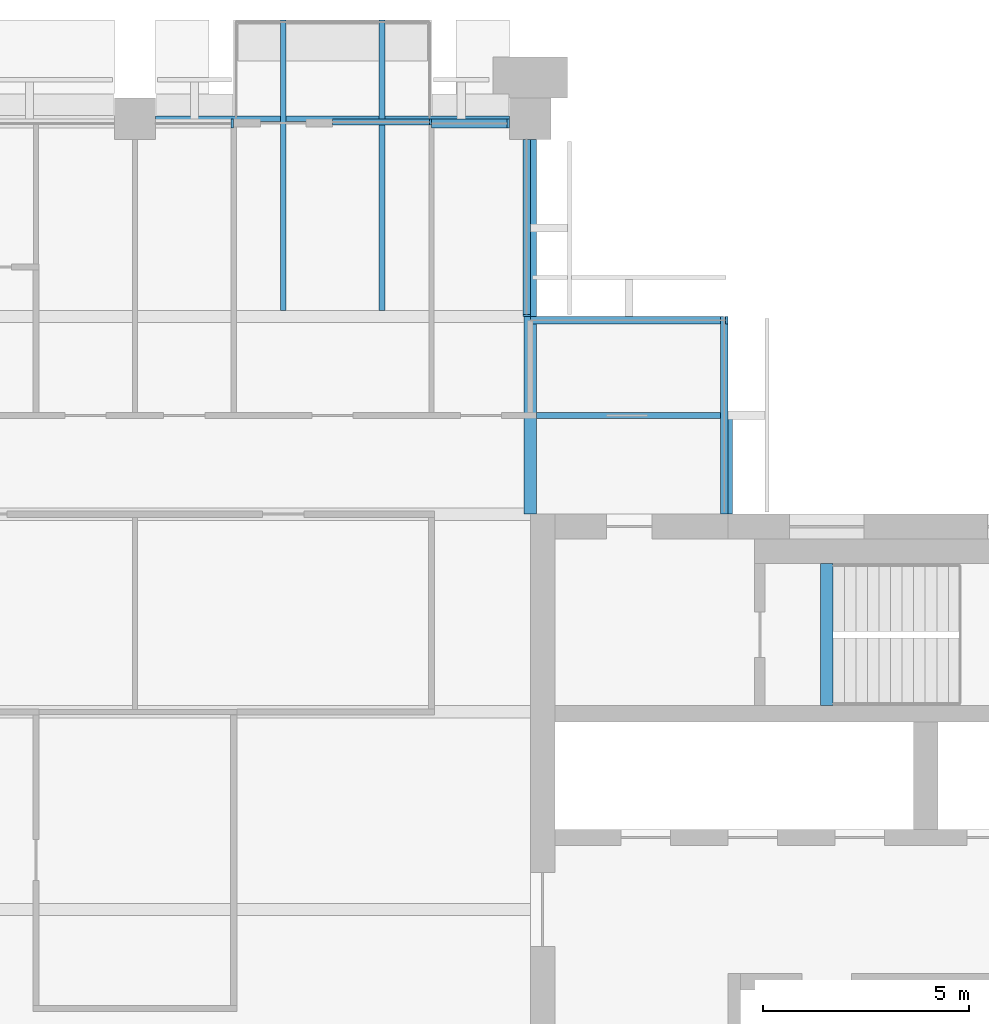
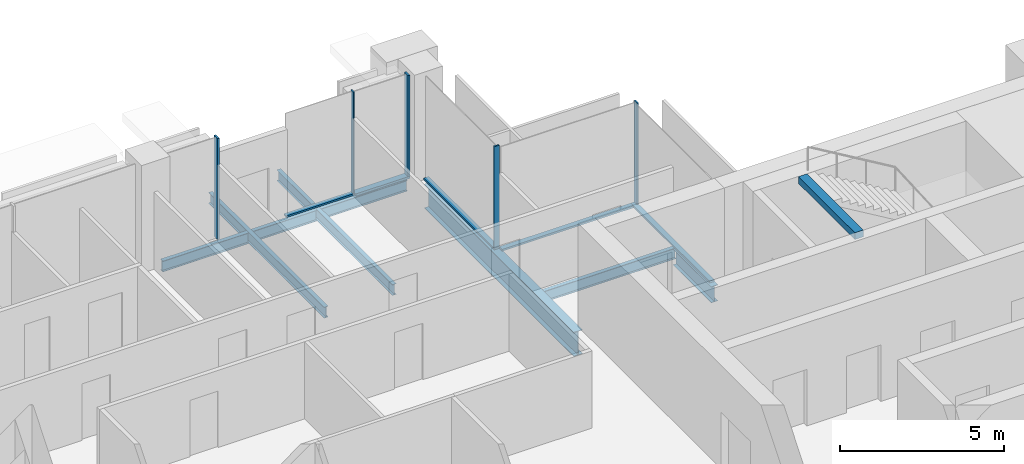
# One storey, part 6 of 13: 10 members, 9 beams, 6 elements without a shape of their own.
"""IFC4 building model written with IfcOpenShell, lengths in metres."""

from ifc_helpers import new_model, si_unit, direction, frame, origin, origin_2d, place, context, subcontext, project, spatial, rectangle, i_section, extrude, material, material_profile, profile_set, type_object, element, aggregate, save


model = new_model("IFC4")

# Units and contexts
model_context = context("Model", 3, precision=1e-05, world=origin(), true_north=direction((0.0, 1.0)))
body_context = subcontext(model_context, "Body", "Model", "MODEL_VIEW")
ifc_project = project(units=[si_unit("LENGTHUNIT", "METRE"), si_unit("AREAUNIT", "SQUARE_METRE"), si_unit("VOLUMEUNIT", "CUBIC_METRE"), si_unit("PLANEANGLEUNIT", "RADIAN"), si_unit("MASSUNIT", "GRAM", prefix="KILO")], contexts=[model_context])

# Site, building, storey
site_placement = place(None, origin())
site = spatial("IfcSite", under=ifc_project, at=site_placement, CompositionType="ELEMENT")
building_placement = place(site_placement, origin())
building = spatial("IfcBuilding", under=site, at=building_placement, Name="Baori Bourse Tower", CompositionType="ELEMENT")
storey_placement = place(building_placement, frame((0.0, 0.0, 302.300048828125)))
storey = spatial("IfcBuildingStorey", under=building, at=storey_placement, Name="L66", CompositionType="ELEMENT", Elevation=302.300048828125)

# Beams
ifc_material_1 = material(Name="Steel A992 Gr 50", Category="steel")
ifc_material_profile_1 = material_profile(ifc_material_1, i_section(OverallWidth=0.140380859375, OverallDepth=0.40380859375, WebThickness=0.007080078125, FlangeThickness=0.01123046875, at=origin_2d()), Name="W16x31")
ifc_profile_set_1 = profile_set([ifc_material_profile_1], Name="Steel A992 Gr 50")
beam_type_1 = type_object("IfcBeamType", Name="Balcony beam W16x31", PredefinedType="BEAM", material=ifc_profile_set_1)
for number, where, z_axis, x_axis, name in (
    (1, (32.39990234375, 50.39990234375, -0.362060546875), (0.0, -1.0, 0.0), (1.0, 0.0, 0.0), "Balcony beam L66"),
    (2, (34.800048828125, 50.39990234375, -0.362060546875), (0.0, -1.0, 0.0), (1.0, 0.0, 0.0), "Balcony beam L66"),
):
    element("IfcBeam", number, at=place(storey_placement, frame(where, z_axis=z_axis, x_axis=x_axis)), inside=storey, type_object=beam_type_1, Name=name, PredefinedType="BEAM", context=body_context, shape_type="SweptSolid", body=[
        extrude(i_section(OverallWidth=0.140380859375, OverallDepth=0.40380859375, WebThickness=0.007080078125, FlangeThickness=0.01123046875, at=origin_2d()), origin(), (0.0, 0.0, 1.0), 7.050048828125),
    ])

# Curtain wall, member
ifc_material_2 = material(Name="Pale anodised aluminium", Category="aluminium")
curtain_wall_type_1 = type_object("IfcCurtainWallType", Name="CW2 Curtain wall", PredefinedType="NOTDEFINED", material=ifc_material_2)
curtain_wall_1_placement = place(storey_placement, origin())
curtain_wall_1 = element("IfcCurtainWall", 3, at=curtain_wall_1_placement, inside=storey, type_object=curtain_wall_type_1, Name="Curtain wall CW2 L66 2", PredefinedType="NOTDEFINED")
ifc_material_3 = material(Name="Pale anodised aluminium", Category="aluminium")
ifc_material_profile_2 = material_profile(ifc_material_3, rectangle(XDim=0.179931640625, YDim=0.054931640625, at=origin_2d()), Name="Mullion 55x180")
ifc_profile_set_2 = profile_set([ifc_material_profile_2], Name="Pale anodised aluminium")
member_type_1 = type_object("IfcMemberType", Name="CW2 Curtain wall mullion", PredefinedType="MULLION", material=ifc_profile_set_2)
member_1_placement = place(storey_placement, frame((43.172607421875, 43.110107421875, 0.070068359375), z_axis=(0.0, 0.0, 1.0), x_axis=(0.0, -1.0, 0.0)))
member_1 = element("IfcMember", 4, at=member_1_placement, type_object=member_type_1, Name="Curtain wall CW2 mullion", PredefinedType="MULLION", context=body_context, shape_type="SweptSolid", body=[
    extrude(rectangle(XDim=0.179931640625, YDim=0.054931640625, at=origin_2d()), origin(), (0.0, 0.0, 1.0), 3.769775390625),
])

curtain_wall_2_placement = place(storey_placement, origin())
curtain_wall_2 = element("IfcCurtainWall", 5, at=curtain_wall_2_placement, inside=storey, type_object=curtain_wall_type_1, Name="Curtain wall CW2 L66 3", PredefinedType="NOTDEFINED")
member_2_placement = place(storey_placement, frame((38.31005859375, 43.2275390625, 0.070068359375), z_axis=(0.0, 0.0, 1.0), x_axis=(-1.0, 0.0, 0.0)))
member_2 = element("IfcMember", 6, at=member_2_placement, type_object=member_type_1, Name="Curtain wall CW2 mullion", PredefinedType="MULLION", context=body_context, shape_type="SweptSolid", body=[
    extrude(rectangle(XDim=0.179931640625, YDim=0.054931640625, at=origin_2d()), origin(), (0.0, 0.0, 1.0), 3.769775390625),
])

curtain_wall_3_placement = place(storey_placement, origin())
curtain_wall_3 = element("IfcCurtainWall", 7, at=curtain_wall_3_placement, inside=storey, type_object=curtain_wall_type_1, Name="Curtain wall CW2 L66 1", PredefinedType="NOTDEFINED")
ifc_material_4 = material(Name="Pale anodised aluminium", Category="aluminium")
ifc_material_profile_3 = material_profile(ifc_material_4, rectangle(XDim=0.179931640625, YDim=0.070068359375, at=origin_2d()), Name="Transom 70x180")
ifc_profile_set_3 = profile_set([ifc_material_profile_3], Name="Pale anodised aluminium")
member_type_2 = type_object("IfcMemberType", Name="CW2 Curtain wall transom", PredefinedType="USERDEFINED", material=ifc_profile_set_3)
member_3_placement = place(storey_placement, frame((43.110107421875, 38.39990234375, 0.034912109375), z_axis=(0.0, 1.0, 0.0), x_axis=(-1.0, 0.0, 0.0)))
member_3 = element("IfcMember", 8, at=member_3_placement, type_object=member_type_2, Name="Curtain wall CW2 sill rail", ObjectType="TRANSOM", PredefinedType="USERDEFINED", context=body_context, shape_type="SweptSolid", body=[
    extrude(rectangle(XDim=0.179931640625, YDim=0.070068359375, at=origin_2d()), origin(), (0.0, 0.0, 1.0), 4.800048828125),
])
aggregate(curtain_wall_3, [member_3])

# Member
member_4_placement = place(storey_placement, frame((43.199951171875, 43.110107421875, 0.034912109375), z_axis=(-1.0, 0.0, 0.0), x_axis=(0.0, -1.0, 0.0)))
member_4 = element("IfcMember", 9, at=member_4_placement, type_object=member_type_2, Name="Curtain wall CW2 sill rail", ObjectType="TRANSOM", PredefinedType="USERDEFINED", context=body_context, shape_type="SweptSolid", body=[
    extrude(rectangle(XDim=0.179931640625, YDim=0.070068359375, at=origin_2d()), origin(), (0.0, 0.0, 1.0), 4.800048828125),
])

aggregate(curtain_wall_1, [member_4, member_1])

member_5_placement = place(storey_placement, frame((38.31005859375, 43.199951171875, 0.034912109375), z_axis=(0.0, 1.0, 0.0), x_axis=(-1.0, 0.0, 0.0)))
member_5 = element("IfcMember", 10, at=member_5_placement, type_object=member_type_2, Name="Curtain wall CW2 sill rail", ObjectType="TRANSOM", PredefinedType="USERDEFINED", context=body_context, shape_type="SweptSolid", body=[
    extrude(rectangle(XDim=0.179931640625, YDim=0.070068359375, at=origin_2d()), origin(), (0.0, 0.0, 1.0), 4.300048828125),
])

aggregate(curtain_wall_2, [member_5, member_2])

# Curtain wall, member
ifc_material_5 = material(Name="Pale anodised aluminium", Category="aluminium")
curtain_wall_type_2 = type_object("IfcCurtainWallType", Name="CW5 Curtain wall", PredefinedType="NOTDEFINED", material=ifc_material_5)
curtain_wall_4_placement = place(storey_placement, origin())
curtain_wall_4 = element("IfcCurtainWall", 11, at=curtain_wall_4_placement, inside=storey, type_object=curtain_wall_type_2, Name="Curtain wall CW5 L66 4", PredefinedType="NOTDEFINED")
ifc_material_6 = material(Name="Pale anodised aluminium", Category="aluminium")
ifc_material_profile_4 = material_profile(ifc_material_6, rectangle(XDim=0.219970703125, YDim=0.06494140625, at=origin_2d()), Name="Mullion 65x220")
ifc_profile_set_4 = profile_set([ifc_material_profile_4], Name="Pale anodised aluminium")
member_type_3 = type_object("IfcMemberType", Name="CW5 Curtain wall mullion", PredefinedType="MULLION", material=ifc_profile_set_4)
member_6_placement = place(storey_placement, frame((37.867431640625, 47.889892578125, 0.0849609375), z_axis=(0.0, 0.0, 1.0), x_axis=(0.0, -1.0, 0.0)))
member_6 = element("IfcMember", 12, at=member_6_placement, type_object=member_type_3, Name="Curtain wall CW5 mullion", PredefinedType="MULLION", context=body_context, shape_type="SweptSolid", body=[
    extrude(rectangle(XDim=0.219970703125, YDim=0.06494140625, at=origin_2d()), origin(), (0.0, 0.0, 1.0), 3.7548828125),
])

curtain_wall_5_placement = place(storey_placement, origin())
curtain_wall_5 = element("IfcCurtainWall", 13, at=curtain_wall_5_placement, inside=storey, type_object=curtain_wall_type_2, Name="Curtain wall CW5 L66 6", PredefinedType="NOTDEFINED")
member_7_placement = place(storey_placement, frame((31.16748046875, 47.889892578125, 0.0849609375), z_axis=(0.0, 0.0, 1.0), x_axis=(0.0, -1.0, 0.0)))
member_7 = element("IfcMember", 14, at=member_7_placement, type_object=member_type_3, Name="Curtain wall CW5 mullion", PredefinedType="MULLION", context=body_context, shape_type="SweptSolid", body=[
    extrude(rectangle(XDim=0.219970703125, YDim=0.06494140625, at=origin_2d()), origin(), (0.0, 0.0, 1.0), 3.7548828125),
])
aggregate(curtain_wall_5, [member_7])

# Member
ifc_material_7 = material(Name="Pale anodised aluminium", Category="aluminium")
ifc_material_profile_5 = material_profile(ifc_material_7, rectangle(XDim=0.219970703125, YDim=0.0849609375, at=origin_2d()), Name="Transom 85x220")
ifc_profile_set_5 = profile_set([ifc_material_profile_5], Name="Pale anodised aluminium")
member_type_4 = type_object("IfcMemberType", Name="CW5 Curtain wall transom", PredefinedType="USERDEFINED", material=ifc_profile_set_5)
member_8_placement = place(storey_placement, frame((37.89990234375, 47.889892578125, 0.04248046875), z_axis=(-1.0, 0.0, 0.0), x_axis=(0.0, -1.0, 0.0)))
member_8 = element("IfcMember", 15, at=member_8_placement, type_object=member_type_4, Name="Curtain wall CW5 sill rail", ObjectType="TRANSOM", PredefinedType="USERDEFINED", context=body_context, shape_type="SweptSolid", body=[
    extrude(rectangle(XDim=0.219970703125, YDim=0.0849609375, at=origin_2d()), origin(), (0.0, 0.0, 1.0), 1.89990234375),
])

aggregate(curtain_wall_4, [member_8, member_6])

# Curtain wall, members
ifc_material_8 = material(Name="Pale anodised aluminium", Category="aluminium")
curtain_wall_type_3 = type_object("IfcCurtainWallType", Name="CW6 Curtain wall", PredefinedType="NOTDEFINED", material=ifc_material_8)
curtain_wall_6_placement = place(storey_placement, origin())
curtain_wall_6 = element("IfcCurtainWall", 16, at=curtain_wall_6_placement, inside=storey, type_object=curtain_wall_type_3, Name="Curtain wall CW6 L66 5", PredefinedType="NOTDEFINED")
ifc_material_9 = material(Name="Pale anodised aluminium", Category="aluminium")
ifc_material_profile_6 = material_profile(ifc_material_9, rectangle(XDim=0.14990234375, YDim=0.050048828125, at=origin_2d()), Name="Mullion 50x150")
ifc_profile_set_6 = profile_set([ifc_material_profile_6], Name="Pale anodised aluminium")
member_type_5 = type_object("IfcMemberType", Name="CW6 Curtain wall mullion", PredefinedType="MULLION", material=ifc_profile_set_6)
member_9_placement = place(storey_placement, frame((35.97509765625, 47.925048828125, 0.06494140625), z_axis=(0.0, 0.0, 1.0), x_axis=(0.0, -1.0, 0.0)))
member_9 = element("IfcMember", 17, at=member_9_placement, type_object=member_type_5, Name="Curtain wall CW6 mullion", PredefinedType="MULLION", context=body_context, shape_type="SweptSolid", body=[
    extrude(rectangle(XDim=0.14990234375, YDim=0.050048828125, at=origin_2d()), origin(), (0.0, 0.0, 1.0), 3.77490234375),
])
ifc_material_10 = material(Name="Pale anodised aluminium", Category="aluminium")
ifc_material_profile_7 = material_profile(ifc_material_10, rectangle(XDim=0.14990234375, YDim=0.06494140625, at=origin_2d()), Name="Transom 65x150")
ifc_profile_set_7 = profile_set([ifc_material_profile_7], Name="Pale anodised aluminium")
member_type_6 = type_object("IfcMemberType", Name="CW6 Curtain wall transom", PredefinedType="USERDEFINED", material=ifc_profile_set_7)
member_10_placement = place(storey_placement, frame((36.0, 47.925048828125, 0.032470703125), z_axis=(-1.0, 0.0, 0.0), x_axis=(0.0, -1.0, 0.0)))
member_10 = element("IfcMember", 18, at=member_10_placement, type_object=member_type_6, Name="Curtain wall CW6 sill rail", ObjectType="TRANSOM", PredefinedType="USERDEFINED", context=body_context, shape_type="SweptSolid", body=[
    extrude(rectangle(XDim=0.14990234375, YDim=0.06494140625, at=origin_2d()), origin(), (0.0, 0.0, 1.0), 2.39990234375),
])
aggregate(curtain_wall_6, [member_10, member_9])

# Beams
ifc_material_11 = material(Name="Steel A992 Gr 50", Category="steel")
ifc_material_profile_8 = material_profile(ifc_material_11, i_section(OverallWidth=0.227783203125, OverallDepth=0.60205078125, WebThickness=0.010498046875, FlangeThickness=0.014892578125, at=origin_2d()), Name="W24x68")
ifc_profile_set_8 = profile_set([ifc_material_profile_8], Name="Steel A992 Gr 50")
beam_type_2 = type_object("IfcBeamType", Name="Core bracket W24x68", PredefinedType="BEAM", material=ifc_profile_set_8)
beam_1_placement = place(storey_placement, frame((43.199951171875, 38.39990234375, -0.4609375), z_axis=(0.0, 1.0, 0.0), x_axis=(-1.0, 0.0, 0.0)))
element("IfcBeam", 19, at=beam_1_placement, inside=storey, type_object=beam_type_2, Name="Core bracket L66", PredefinedType="BEAM", context=body_context, shape_type="SweptSolid", body=[
    extrude(i_section(OverallWidth=0.227783203125, OverallDepth=0.60205078125, WebThickness=0.010498046875, FlangeThickness=0.014892578125, at=origin_2d()), origin(), (0.0, 0.0, 1.0), 2.329833984375),
])
ifc_material_12 = material(Name="Steel A992 Gr 50", Category="steel")
ifc_material_profile_9 = material_profile(ifc_material_12, i_section(OverallWidth=0.140380859375, OverallDepth=0.40380859375, WebThickness=0.007080078125, FlangeThickness=0.01123046875, at=origin_2d()), Name="W16x31")
ifc_profile_set_9 = profile_set([ifc_material_profile_9], Name="Steel A992 Gr 50")
beam_type_3 = type_object("IfcBeamType", Name="Edge beam W16x31", PredefinedType="BEAM", material=ifc_profile_set_9)
beam_2_placement = place(storey_placement, frame((29.300048828125, 48.0, -0.362060546875), z_axis=(1.0, 0.0, 0.0), x_axis=(0.0, 1.0, 0.0)))
element("IfcBeam", 20, at=beam_2_placement, inside=storey, type_object=beam_type_3, Name="Edge beam L66", PredefinedType="BEAM", context=body_context, shape_type="SweptSolid", body=[
    extrude(i_section(OverallWidth=0.140380859375, OverallDepth=0.40380859375, WebThickness=0.007080078125, FlangeThickness=0.01123046875, at=origin_2d()), origin(), (0.0, 0.0, 1.0), 3.02978515625),
])
beam_3_placement = place(storey_placement, frame((32.47021484375, 48.0, -0.362060546875), z_axis=(1.0, 0.0, 0.0), x_axis=(0.0, 1.0, 0.0)))
element("IfcBeam", 21, at=beam_3_placement, inside=storey, type_object=beam_type_3, Name="Edge beam L66", PredefinedType="BEAM", context=body_context, shape_type="SweptSolid", body=[
    extrude(i_section(OverallWidth=0.140380859375, OverallDepth=0.40380859375, WebThickness=0.007080078125, FlangeThickness=0.01123046875, at=origin_2d()), origin(), (0.0, 0.0, 1.0), 2.259521484375),
])
beam_4_placement = place(storey_placement, frame((34.8701171875, 48.0, -0.362060546875), z_axis=(1.0, 0.0, 0.0), x_axis=(0.0, 1.0, 0.0)))
element("IfcBeam", 22, at=beam_4_placement, inside=storey, type_object=beam_type_3, Name="Edge beam L66", PredefinedType="BEAM", context=body_context, shape_type="SweptSolid", body=[
    extrude(i_section(OverallWidth=0.140380859375, OverallDepth=0.40380859375, WebThickness=0.007080078125, FlangeThickness=0.01123046875, at=origin_2d()), origin(), (0.0, 0.0, 1.0), 3.02978515625),
])
ifc_material_13 = material(Name="Steel A992 Gr 50", Category="steel")
ifc_material_profile_10 = material_profile(ifc_material_13, i_section(OverallWidth=0.3046875, OverallDepth=0.904296875, WebThickness=0.01513671875, FlangeThickness=0.02001953125, at=origin_2d()), Name="W36x135")
ifc_profile_set_10 = profile_set([ifc_material_profile_10], Name="Steel A992 Gr 50")
beam_type_4 = type_object("IfcBeamType", Name="Girder W36x135", PredefinedType="BEAM", material=ifc_profile_set_10)
beam_5_placement = place(storey_placement, frame((38.39990234375, 38.39990234375, -0.612060546875), z_axis=(0.0, 1.0, 0.0), x_axis=(-1.0, 0.0, 0.0)))
element("IfcBeam", 23, at=beam_5_placement, inside=storey, type_object=beam_type_4, Name="Girder L66", PredefinedType="BEAM", context=body_context, shape_type="SweptSolid", body=[
    extrude(i_section(OverallWidth=0.3046875, OverallDepth=0.904296875, WebThickness=0.01513671875, FlangeThickness=0.02001953125, at=origin_2d()), origin(), (0.0, 0.0, 1.0), 9.10009765625),
])
ifc_material_14 = material(Name="Concrete f'c 50 MPa", Category="concrete")
ifc_material_profile_11 = material_profile(ifc_material_14, rectangle(XDim=0.300048828125, YDim=0.25, at=origin_2d()), Name="RC 300x250")
ifc_profile_set_11 = profile_set([ifc_material_profile_11], Name="Concrete f'c 50 MPa")
beam_type_5 = type_object("IfcBeamType", Name="Stair nib beam RC 300x250", PredefinedType="BEAM", material=ifc_profile_set_11)
beam_6_placement = place(storey_placement, frame((45.60009765625, 33.75, 3.71484375), z_axis=(0.0, 1.0, 0.0), x_axis=(-1.0, 0.0, 0.0)))
element("IfcBeam", 24, at=beam_6_placement, inside=storey, type_object=beam_type_5, Name="Stair EB nib beam L67", PredefinedType="BEAM", context=body_context, shape_type="SweptSolid", body=[
    extrude(rectangle(XDim=0.300048828125, YDim=0.25, at=origin_2d()), origin(), (0.0, 0.0, 1.0), 3.449951171875),
])
ifc_material_15 = material(Name="Steel A992 Gr 50", Category="steel")
ifc_material_profile_12 = material_profile(ifc_material_15, i_section(OverallWidth=0.140380859375, OverallDepth=0.40380859375, WebThickness=0.007080078125, FlangeThickness=0.01123046875, at=origin_2d()), Name="W16x31")
ifc_profile_set_12 = profile_set([ifc_material_profile_12], Name="Steel A992 Gr 50")
beam_type_6 = type_object("IfcBeamType", Name="Trimmer beam W16x31", PredefinedType="BEAM", material=ifc_profile_set_12)
beam_7_placement = place(storey_placement, frame((38.552490234375, 40.800048828125, -0.362060546875), z_axis=(1.0, 0.0, 0.0), x_axis=(0.0, 1.0, 0.0)))
element("IfcBeam", 25, at=beam_7_placement, inside=storey, type_object=beam_type_6, Name="Trimmer beam L66", PredefinedType="BEAM", context=body_context, shape_type="SweptSolid", body=[
    extrude(i_section(OverallWidth=0.140380859375, OverallDepth=0.40380859375, WebThickness=0.007080078125, FlangeThickness=0.01123046875, at=origin_2d()), origin(), (0.0, 0.0, 1.0), 4.6474609375),
])

save(model, "model.ifc")
